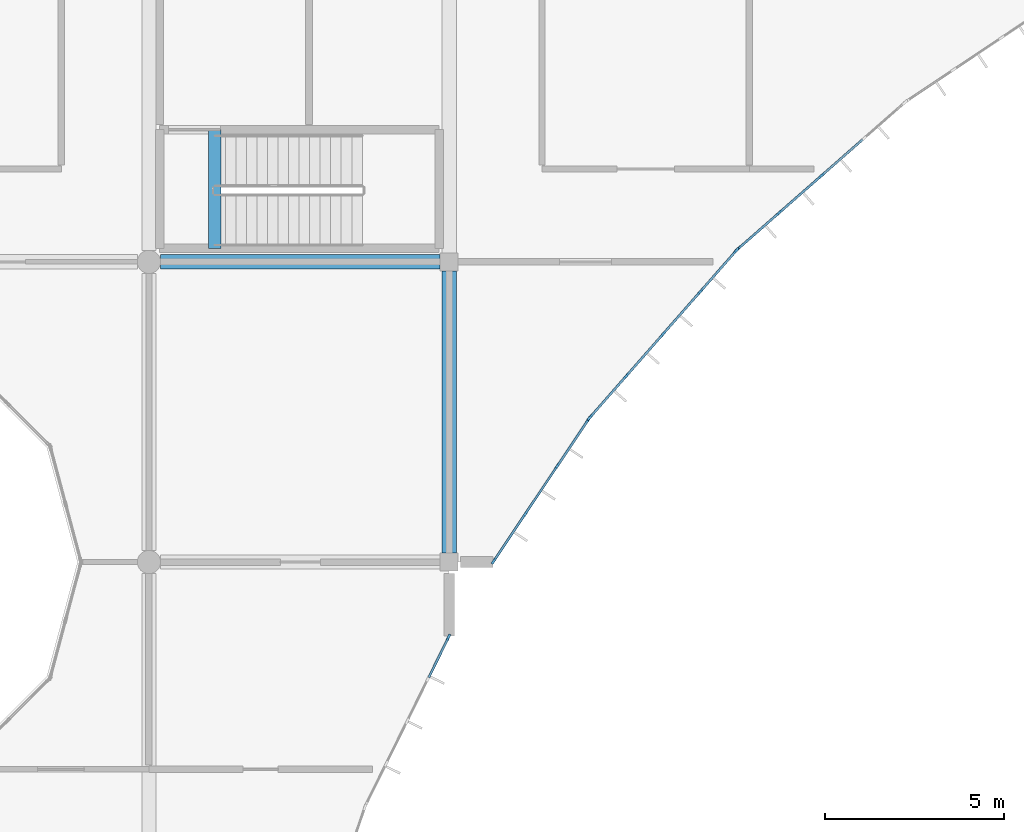
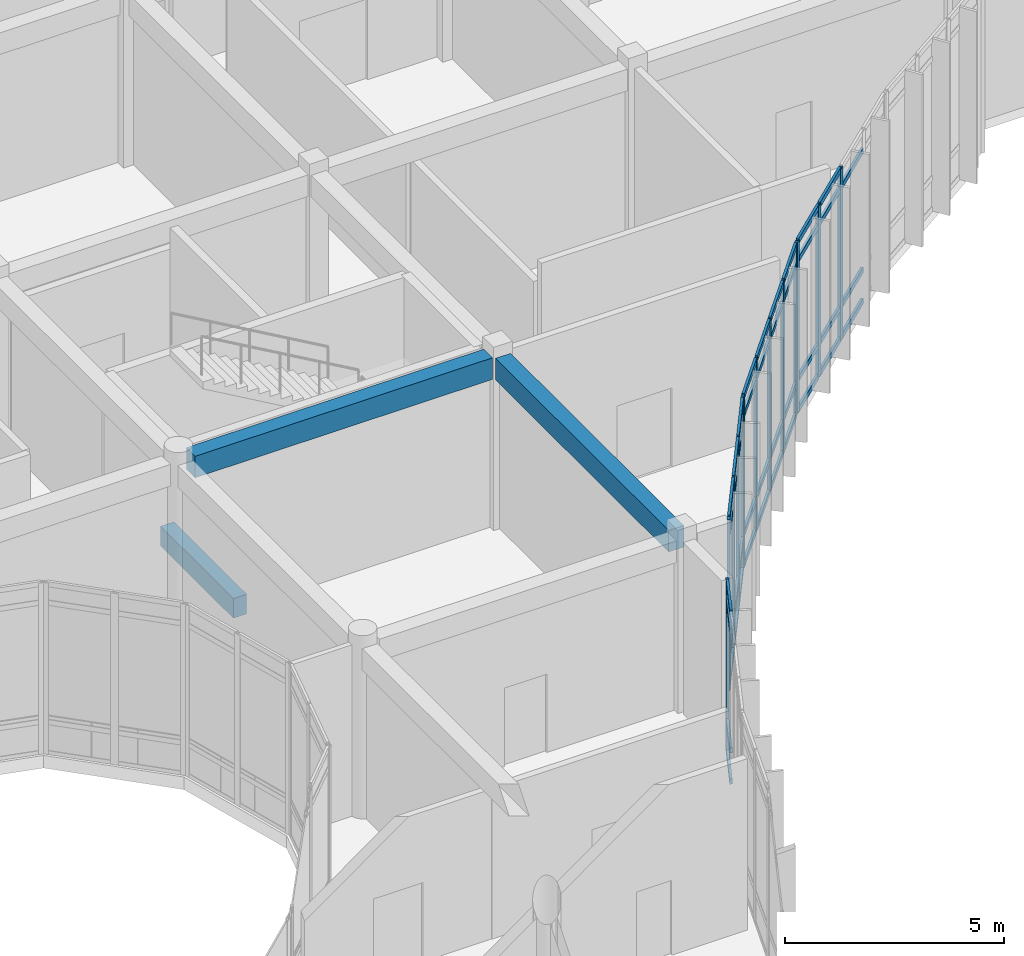
# One storey, part 60 of 134: 56 members, 3 beams, 4 elements without a shape of their own.
"""IFC4 building model written with IfcOpenShell, lengths in metres."""

from ifc_helpers import new_model, si_unit, direction, frame, origin, origin_2d, place, context, subcontext, project, spatial, rectangle, extrude, material, layer, layer_set, material_profile, profile_set, type_object, element, aggregate, save


model = new_model("IFC4")

# Units and contexts
model_context = context("Model", 3, precision=1e-05, world=origin(), true_north=direction((0.0, 1.0)))
body_context = subcontext(model_context, "Body", "Model", "MODEL_VIEW")
ifc_project = project(units=[si_unit("LENGTHUNIT", "METRE"), si_unit("AREAUNIT", "SQUARE_METRE"), si_unit("VOLUMEUNIT", "CUBIC_METRE"), si_unit("PLANEANGLEUNIT", "RADIAN"), si_unit("MASSUNIT", "GRAM", prefix="KILO")], contexts=[model_context])

# Site, building, storey
site_placement = place(None, origin())
site = spatial("IfcSite", under=ifc_project, at=site_placement, CompositionType="ELEMENT")
building_placement = place(site_placement, origin())
building = spatial("IfcBuilding", under=site, at=building_placement, Name="Bramfleet General Hospital", CompositionType="ELEMENT")
storey_placement = place(building_placement, frame((0.0, 0.0, 9.300048828125)))
storey = spatial("IfcBuildingStorey", under=building, at=storey_placement, Name="L02", CompositionType="ELEMENT", Elevation=9.300048828125)

# Beams
ifc_material_1 = material(Name="Concrete C35/45", Category="concrete")
ifc_material_profile_1 = material_profile(ifc_material_1, rectangle(XDim=0.35009765625, YDim=0.550048828125, at=origin_2d()), Name="RC BM 550x350")
ifc_profile_set_1 = profile_set([ifc_material_profile_1], Name="Concrete C35/45")
beam_type_1 = type_object("IfcBeamType", Name="BM-RC550", PredefinedType="BEAM", material=ifc_profile_set_1)
beam_1_placement = place(storey_placement, frame((127.840087890625, 75.97998046875, -0.275146484375), z_axis=(0.0, 1.0, 0.0), x_axis=(-1.0, 0.0, 0.0)))
element("IfcBeam", 1, at=beam_1_placement, inside=storey, type_object=beam_type_1, Name="L02 C12 Stairwell Trimmer Beam", PredefinedType="BEAM", context=body_context, shape_type="SweptSolid", body=[
    extrude(rectangle(XDim=0.35009765625, YDim=0.550048828125, at=origin_2d()), origin(), (0.0, 0.0, 1.0), 3.320068359375),
])
ifc_material_profile_2 = material_profile(ifc_material_1, rectangle(XDim=0.39990234375, YDim=0.60009765625, at=origin_2d()), Name="RC BM 600x400")
ifc_profile_set_2 = profile_set([ifc_material_profile_2], Name="Concrete C35/45")
beam_type_2 = type_object("IfcBeamType", Name="BM-RC600", PredefinedType="BEAM", material=ifc_profile_set_2)
beam_2_placement = place(storey_placement, frame((126.324951171875, 75.60009765625, 4.47998046875), z_axis=(1.0, 0.0, 0.0), x_axis=(0.0, 1.0, 0.0)))
element("IfcBeam", 2, at=beam_2_placement, inside=storey, type_object=beam_type_2, Name="L02 Grid Beam X 15-09", PredefinedType="BEAM", context=body_context, shape_type="SweptSolid", body=[
    extrude(rectangle(XDim=0.39990234375, YDim=0.60009765625, at=origin_2d()), origin(), (0.0, 0.0, 1.0), 7.824951171875),
])
beam_3_placement = place(storey_placement, frame((134.39990234375, 67.449951171875, 4.47998046875), z_axis=(0.0, 1.0, 0.0), x_axis=(-1.0, 0.0, 0.0)))
element("IfcBeam", 3, at=beam_3_placement, inside=storey, type_object=beam_type_2, Name="L02 Grid Beam Y 16-08", PredefinedType="BEAM", context=body_context, shape_type="SweptSolid", body=[
    extrude(rectangle(XDim=0.39990234375, YDim=0.60009765625, at=origin_2d()), origin(), (0.0, 0.0, 1.0), 7.900146484375),
])

# Curtain wall, members
ifc_material_2 = material(Name="Anodised aluminium and low-E triple glazing", Category="aluminium")
ifc_layer_1 = layer(ifc_material_2, 0.179931640625, Name="CWT-CW-17")
ifc_layer_set_1 = layer_set([ifc_layer_1], Name="Anodised aluminium and low-E triple glazing")
curtain_wall_type_1 = type_object("IfcCurtainWallType", Name="CWT-CW-17", PredefinedType="USERDEFINED", material=ifc_layer_set_1)
curtain_wall_1_placement = place(storey_placement, origin())
curtain_wall_1 = element("IfcCurtainWall", 4, at=curtain_wall_1_placement, inside=storey, type_object=curtain_wall_type_1, Name="L02 Curtain Wall 107", ObjectType="Stick curtain wall", PredefinedType="USERDEFINED")
ifc_material_3 = material(Name="Structural timber GL28h", Category="wood")
ifc_material_profile_3 = material_profile(ifc_material_3, rectangle(XDim=0.070068359375, YDim=0.18994140625, at=origin_2d()), Name="LARCH 190x70")
ifc_profile_set_3 = profile_set([ifc_material_profile_3], Name="Structural timber GL28h")
member_type_1 = type_object("IfcMemberType", Name="CWM-LARCH450", PredefinedType="MULLION", material=ifc_profile_set_3)
member_1_placement = place(storey_placement, frame((144.819091796875, 78.010986328125, 0.0), z_axis=(0.0, 0.0, 1.0), x_axis=(0.659406233864, -0.75178681735, 0.0)))
member_1 = element("IfcMember", 5, at=member_1_placement, type_object=member_type_1, Name="CW-17 mullion 3", PredefinedType="MULLION", context=body_context, shape_type="SweptSolid", body=[
    extrude(rectangle(XDim=0.070068359375, YDim=0.18994140625, at=origin_2d()), origin(), (0.0, 0.0, 1.0), 4.77001953125),
])
member_2_placement = place(storey_placement, frame((143.638916015625, 76.97607421875, 0.0), z_axis=(0.0, 0.0, 1.0), x_axis=(0.659406233864, -0.75178681735, 0.0)))
member_2 = element("IfcMember", 6, at=member_2_placement, type_object=member_type_1, Name="CW-17 mullion 4", PredefinedType="MULLION", context=body_context, shape_type="SweptSolid", body=[
    extrude(rectangle(XDim=0.070068359375, YDim=0.18994140625, at=origin_2d()), origin(), (0.0, 0.0, 1.0), 4.77001953125),
])
member_3_placement = place(storey_placement, frame((142.4853515625, 75.964111328125, 0.0), z_axis=(0.0, 0.0, 1.0), x_axis=(0.659406233864, -0.75178681735, 0.0)))
member_3 = element("IfcMember", 7, at=member_3_placement, type_object=member_type_1, Name="CW-17 mullion 5", PredefinedType="MULLION", context=body_context, shape_type="SweptSolid", body=[
    extrude(rectangle(XDim=0.070068359375, YDim=0.18994140625, at=origin_2d()), origin(), (0.0, 0.0, 1.0), 4.77001953125),
])

ifc_layer_2 = layer(ifc_material_2, 0.179931640625, Name="CWT-CW-18")
ifc_layer_set_2 = layer_set([ifc_layer_2], Name="Anodised aluminium and low-E triple glazing")
curtain_wall_type_2 = type_object("IfcCurtainWallType", Name="CWT-CW-18", PredefinedType="USERDEFINED", material=ifc_layer_set_2)
curtain_wall_2_placement = place(storey_placement, origin())
curtain_wall_2 = element("IfcCurtainWall", 8, at=curtain_wall_2_placement, inside=storey, type_object=curtain_wall_type_2, Name="L02 Curtain Wall 108", ObjectType="Stick curtain wall", PredefinedType="USERDEFINED")
member_4_placement = place(storey_placement, frame((142.43603515625, 75.914794921875, 0.0), z_axis=(0.0, 0.0, 1.0), x_axis=(0.75178681735, -0.659406233864, 0.0)))
member_4 = element("IfcMember", 9, at=member_4_placement, type_object=member_type_1, Name="CW-18 mullion 1", PredefinedType="MULLION", context=body_context, shape_type="SweptSolid", body=[
    extrude(rectangle(XDim=0.070068359375, YDim=0.18994140625, at=origin_2d()), origin(), (0.0, 0.0, 1.0), 4.77001953125),
])
member_5_placement = place(storey_placement, frame((141.424072265625, 74.760986328125, 0.0), z_axis=(0.0, 0.0, 1.0), x_axis=(0.75178681735, -0.659406233864, 0.0)))
member_5 = element("IfcMember", 10, at=member_5_placement, type_object=member_type_1, Name="CW-18 mullion 2", PredefinedType="MULLION", context=body_context, shape_type="SweptSolid", body=[
    extrude(rectangle(XDim=0.070068359375, YDim=0.18994140625, at=origin_2d()), origin(), (0.0, 0.0, 1.0), 4.77001953125),
])
member_6_placement = place(storey_placement, frame((140.388916015625, 73.5810546875, 0.0), z_axis=(0.0, 0.0, 1.0), x_axis=(0.75178681735, -0.659406233864, 0.0)))
member_6 = element("IfcMember", 11, at=member_6_placement, type_object=member_type_1, Name="CW-18 mullion 3", PredefinedType="MULLION", context=body_context, shape_type="SweptSolid", body=[
    extrude(rectangle(XDim=0.070068359375, YDim=0.18994140625, at=origin_2d()), origin(), (0.0, 0.0, 1.0), 4.77001953125),
])
member_7_placement = place(storey_placement, frame((139.35400390625, 72.40087890625, 0.0), z_axis=(0.0, 0.0, 1.0), x_axis=(0.75178681735, -0.659406233864, 0.0)))
member_7 = element("IfcMember", 12, at=member_7_placement, type_object=member_type_1, Name="CW-18 mullion 4", PredefinedType="MULLION", context=body_context, shape_type="SweptSolid", body=[
    extrude(rectangle(XDim=0.070068359375, YDim=0.18994140625, at=origin_2d()), origin(), (0.0, 0.0, 1.0), 4.77001953125),
])
member_8_placement = place(storey_placement, frame((138.342041015625, 71.247314453125, 0.0), z_axis=(0.0, 0.0, 1.0), x_axis=(0.75178681735, -0.659406233864, 0.0)))
member_8 = element("IfcMember", 13, at=member_8_placement, type_object=member_type_1, Name="CW-18 mullion 5", PredefinedType="MULLION", context=body_context, shape_type="SweptSolid", body=[
    extrude(rectangle(XDim=0.070068359375, YDim=0.18994140625, at=origin_2d()), origin(), (0.0, 0.0, 1.0), 4.77001953125),
])

ifc_layer_3 = layer(ifc_material_2, 0.179931640625, Name="CWT-CW-01")
ifc_layer_set_3 = layer_set([ifc_layer_3], Name="Anodised aluminium and low-E triple glazing")
curtain_wall_type_3 = type_object("IfcCurtainWallType", Name="CWT-CW-01", PredefinedType="USERDEFINED", material=ifc_layer_set_3)
curtain_wall_3_placement = place(storey_placement, origin())
curtain_wall_3 = element("IfcCurtainWall", 14, at=curtain_wall_3_placement, inside=storey, type_object=curtain_wall_type_3, Name="L02 Curtain Wall 109", ObjectType="Unitised curtain wall", PredefinedType="USERDEFINED")
member_9_placement = place(storey_placement, frame((138.299560546875, 71.19189453125, 0.0), z_axis=(0.0, 0.0, 1.0), x_axis=(0.831540898988, -0.555463530135, 0.0)))
member_9 = element("IfcMember", 15, at=member_9_placement, type_object=member_type_1, Name="CW-01 mullion 1", PredefinedType="MULLION", context=body_context, shape_type="SweptSolid", body=[
    extrude(rectangle(XDim=0.070068359375, YDim=0.18994140625, at=origin_2d()), origin(), (0.0, 0.0, 1.0), 4.77001953125),
])
member_10_placement = place(storey_placement, frame((137.423583984375, 69.880615234375, 0.0), z_axis=(0.0, 0.0, 1.0), x_axis=(0.831540898988, -0.555463530135, 0.0)))
member_10 = element("IfcMember", 16, at=member_10_placement, type_object=member_type_1, Name="CW-01 mullion 2", PredefinedType="MULLION", context=body_context, shape_type="SweptSolid", body=[
    extrude(rectangle(XDim=0.070068359375, YDim=0.18994140625, at=origin_2d()), origin(), (0.0, 0.0, 1.0), 4.77001953125),
])
member_11_placement = place(storey_placement, frame((136.5283203125, 68.540283203125, 0.0), z_axis=(0.0, 0.0, 1.0), x_axis=(0.831540898988, -0.555463530135, 0.0)))
member_11 = element("IfcMember", 17, at=member_11_placement, type_object=member_type_1, Name="CW-01 mullion 3", PredefinedType="MULLION", context=body_context, shape_type="SweptSolid", body=[
    extrude(rectangle(XDim=0.070068359375, YDim=0.18994140625, at=origin_2d()), origin(), (0.0, 0.0, 1.0), 4.77001953125),
])
member_12_placement = place(storey_placement, frame((135.65234375, 67.22900390625, 0.0), z_axis=(0.0, 0.0, 1.0), x_axis=(0.831540898988, -0.555463530135, 0.0)))
member_12 = element("IfcMember", 18, at=member_12_placement, type_object=member_type_1, Name="CW-01 mullion 4", PredefinedType="MULLION", context=body_context, shape_type="SweptSolid", body=[
    extrude(rectangle(XDim=0.070068359375, YDim=0.18994140625, at=origin_2d()), origin(), (0.0, 0.0, 1.0), 4.77001953125),
])

# Curtain wall, member
ifc_layer_4 = layer(ifc_material_2, 0.179931640625, Name="CWT-CW-02")
ifc_layer_set_4 = layer_set([ifc_layer_4], Name="Anodised aluminium and low-E triple glazing")
curtain_wall_type_4 = type_object("IfcCurtainWallType", Name="CWT-CW-02", PredefinedType="USERDEFINED", material=ifc_layer_set_4)
curtain_wall_4_placement = place(storey_placement, origin())
curtain_wall_4 = element("IfcCurtainWall", 19, at=curtain_wall_4_placement, inside=storey, type_object=curtain_wall_type_4, Name="L02 Curtain Wall 110", ObjectType="Unitised curtain wall", PredefinedType="USERDEFINED")
member_13_placement = place(storey_placement, frame((134.384521484375, 65.0947265625, 0.0), z_axis=(0.0, 0.0, 1.0), x_axis=(0.896864723513, -0.442304948782, 0.0)))
member_13 = element("IfcMember", 20, at=member_13_placement, type_object=member_type_1, Name="CW-02 mullion 1", PredefinedType="MULLION", context=body_context, shape_type="SweptSolid", body=[
    extrude(rectangle(XDim=0.070068359375, YDim=0.18994140625, at=origin_2d()), origin(), (0.0, 0.0, 1.0), 4.77001953125),
])

# Member
ifc_material_profile_4 = material_profile(ifc_material_3, rectangle(XDim=0.06494140625, YDim=0.14990234375, at=origin_2d()), Name="LARCH 150x65")
ifc_profile_set_4 = profile_set([ifc_material_profile_4], Name="Structural timber GL28h")
member_type_2 = type_object("IfcMemberType", Name="CWT-LARCH220", PredefinedType="USERDEFINED", material=ifc_profile_set_4)
member_14_placement = place(storey_placement, frame((145.97265625, 79.02294921875, 0.032470703125), z_axis=(-0.751829905296, -0.659357106204, 0.0), x_axis=(0.659357106204, -0.751829905296, 0.0)))
member_14 = element("IfcMember", 21, at=member_14_placement, type_object=member_type_2, Name="CW-17 transom 2.1", ObjectType="TRANSOM", PredefinedType="USERDEFINED", context=body_context, shape_type="SweptSolid", body=[
    extrude(rectangle(XDim=0.06494140625, YDim=0.14990234375, at=origin_2d()), origin(), (0.0, 0.0, 1.0), 1.49951171875),
])

member_15_placement = place(storey_placement, frame((145.97265625, 79.02294921875, 0.89990234375), z_axis=(-0.751829905296, -0.659357106204, 0.0), x_axis=(0.659357106204, -0.751829905296, 0.0)))
member_15 = element("IfcMember", 22, at=member_15_placement, type_object=member_type_2, Name="CW-17 transom 2.2", ObjectType="TRANSOM", PredefinedType="USERDEFINED", context=body_context, shape_type="SweptSolid", body=[
    extrude(rectangle(XDim=0.06494140625, YDim=0.14990234375, at=origin_2d()), origin(), (0.0, 0.0, 1.0), 1.49951171875),
])

member_16_placement = place(storey_placement, frame((145.97265625, 79.02294921875, 4.219970703125), z_axis=(-0.751829905296, -0.659357106204, 0.0), x_axis=(0.659357106204, -0.751829905296, 0.0)))
member_16 = element("IfcMember", 23, at=member_16_placement, type_object=member_type_2, Name="CW-17 transom 2.3", ObjectType="TRANSOM", PredefinedType="USERDEFINED", context=body_context, shape_type="SweptSolid", body=[
    extrude(rectangle(XDim=0.06494140625, YDim=0.14990234375, at=origin_2d()), origin(), (0.0, 0.0, 1.0), 1.49951171875),
])

member_17_placement = place(storey_placement, frame((144.792724609375, 77.988037109375, 0.032470703125), z_axis=(-0.751749202304, -0.659449116183, 0.0), x_axis=(0.659449116183, -0.751749202304, 0.0)))
member_17 = element("IfcMember", 24, at=member_17_placement, type_object=member_type_2, Name="CW-17 transom 3.1", ObjectType="TRANSOM", PredefinedType="USERDEFINED", context=body_context, shape_type="SweptSolid", body=[
    extrude(rectangle(XDim=0.06494140625, YDim=0.14990234375, at=origin_2d()), origin(), (0.0, 0.0, 1.0), 1.499755859375),
])

member_18_placement = place(storey_placement, frame((144.792724609375, 77.988037109375, 0.89990234375), z_axis=(-0.751749202304, -0.659449116183, 0.0), x_axis=(0.659449116183, -0.751749202304, 0.0)))
member_18 = element("IfcMember", 25, at=member_18_placement, type_object=member_type_2, Name="CW-17 transom 3.2", ObjectType="TRANSOM", PredefinedType="USERDEFINED", context=body_context, shape_type="SweptSolid", body=[
    extrude(rectangle(XDim=0.06494140625, YDim=0.14990234375, at=origin_2d()), origin(), (0.0, 0.0, 1.0), 1.499755859375),
])

member_19_placement = place(storey_placement, frame((144.792724609375, 77.988037109375, 4.219970703125), z_axis=(-0.751749202304, -0.659449116183, 0.0), x_axis=(0.659449116183, -0.751749202304, 0.0)))
member_19 = element("IfcMember", 26, at=member_19_placement, type_object=member_type_2, Name="CW-17 transom 3.3", ObjectType="TRANSOM", PredefinedType="USERDEFINED", context=body_context, shape_type="SweptSolid", body=[
    extrude(rectangle(XDim=0.06494140625, YDim=0.14990234375, at=origin_2d()), origin(), (0.0, 0.0, 1.0), 1.499755859375),
])

member_20_placement = place(storey_placement, frame((144.792724609375, 77.988037109375, 4.737548828125), z_axis=(-0.751749202304, -0.659449116183, 0.0), x_axis=(0.659449116183, -0.751749202304, 0.0)))
member_20 = element("IfcMember", 27, at=member_20_placement, type_object=member_type_2, Name="CW-17 transom 3.4", ObjectType="TRANSOM", PredefinedType="USERDEFINED", context=body_context, shape_type="SweptSolid", body=[
    extrude(rectangle(XDim=0.06494140625, YDim=0.14990234375, at=origin_2d()), origin(), (0.0, 0.0, 1.0), 1.499755859375),
])

member_21_placement = place(storey_placement, frame((143.61279296875, 76.952880859375, 0.032470703125), z_axis=(-0.75177071058, -0.659424596686, 0.0), x_axis=(0.659424596686, -0.75177071058, 0.0)))
member_21 = element("IfcMember", 28, at=member_21_placement, type_object=member_type_2, Name="CW-17 transom 4.1", ObjectType="TRANSOM", PredefinedType="USERDEFINED", context=body_context, shape_type="SweptSolid", body=[
    extrude(rectangle(XDim=0.06494140625, YDim=0.14990234375, at=origin_2d()), origin(), (0.0, 0.0, 1.0), 1.464599609375),
])

member_22_placement = place(storey_placement, frame((143.61279296875, 76.952880859375, 0.89990234375), z_axis=(-0.75177071058, -0.659424596686, 0.0), x_axis=(0.659424596686, -0.75177071058, 0.0)))
member_22 = element("IfcMember", 29, at=member_22_placement, type_object=member_type_2, Name="CW-17 transom 4.2", ObjectType="TRANSOM", PredefinedType="USERDEFINED", context=body_context, shape_type="SweptSolid", body=[
    extrude(rectangle(XDim=0.06494140625, YDim=0.14990234375, at=origin_2d()), origin(), (0.0, 0.0, 1.0), 1.464599609375),
])

member_23_placement = place(storey_placement, frame((143.61279296875, 76.952880859375, 4.219970703125), z_axis=(-0.75177071058, -0.659424596686, 0.0), x_axis=(0.659424596686, -0.75177071058, 0.0)))
member_23 = element("IfcMember", 30, at=member_23_placement, type_object=member_type_2, Name="CW-17 transom 4.3", ObjectType="TRANSOM", PredefinedType="USERDEFINED", context=body_context, shape_type="SweptSolid", body=[
    extrude(rectangle(XDim=0.06494140625, YDim=0.14990234375, at=origin_2d()), origin(), (0.0, 0.0, 1.0), 1.464599609375),
])

member_24_placement = place(storey_placement, frame((143.61279296875, 76.952880859375, 4.737548828125), z_axis=(-0.75177071058, -0.659424596686, 0.0), x_axis=(0.659424596686, -0.75177071058, 0.0)))
member_24 = element("IfcMember", 31, at=member_24_placement, type_object=member_type_2, Name="CW-17 transom 4.4", ObjectType="TRANSOM", PredefinedType="USERDEFINED", context=body_context, shape_type="SweptSolid", body=[
    extrude(rectangle(XDim=0.06494140625, YDim=0.14990234375, at=origin_2d()), origin(), (0.0, 0.0, 1.0), 1.464599609375),
])

aggregate(curtain_wall_1, [member_1, member_2, member_3, member_14, member_15, member_16, member_17, member_18, member_19, member_20, member_21, member_22, member_23, member_24])

member_25_placement = place(storey_placement, frame((142.412841796875, 75.888427734375, 0.032470703125), z_axis=(-0.659424596686, -0.75177071058, 0.0), x_axis=(0.75177071058, -0.659424596686, 0.0)))
member_25 = element("IfcMember", 32, at=member_25_placement, type_object=member_type_2, Name="CW-18 transom 1.1", ObjectType="TRANSOM", PredefinedType="USERDEFINED", context=body_context, shape_type="SweptSolid", body=[
    extrude(rectangle(XDim=0.06494140625, YDim=0.14990234375, at=origin_2d()), origin(), (0.0, 0.0, 1.0), 1.464599609375),
])

member_26_placement = place(storey_placement, frame((142.412841796875, 75.888427734375, 0.89990234375), z_axis=(-0.659424596686, -0.75177071058, 0.0), x_axis=(0.75177071058, -0.659424596686, 0.0)))
member_26 = element("IfcMember", 33, at=member_26_placement, type_object=member_type_2, Name="CW-18 transom 1.2", ObjectType="TRANSOM", PredefinedType="USERDEFINED", context=body_context, shape_type="SweptSolid", body=[
    extrude(rectangle(XDim=0.06494140625, YDim=0.14990234375, at=origin_2d()), origin(), (0.0, 0.0, 1.0), 1.464599609375),
])

member_27_placement = place(storey_placement, frame((142.412841796875, 75.888427734375, 4.219970703125), z_axis=(-0.659424596686, -0.75177071058, 0.0), x_axis=(0.75177071058, -0.659424596686, 0.0)))
member_27 = element("IfcMember", 34, at=member_27_placement, type_object=member_type_2, Name="CW-18 transom 1.3", ObjectType="TRANSOM", PredefinedType="USERDEFINED", context=body_context, shape_type="SweptSolid", body=[
    extrude(rectangle(XDim=0.06494140625, YDim=0.14990234375, at=origin_2d()), origin(), (0.0, 0.0, 1.0), 1.464599609375),
])

member_28_placement = place(storey_placement, frame((142.412841796875, 75.888427734375, 4.737548828125), z_axis=(-0.659424596686, -0.75177071058, 0.0), x_axis=(0.75177071058, -0.659424596686, 0.0)))
member_28 = element("IfcMember", 35, at=member_28_placement, type_object=member_type_2, Name="CW-18 transom 1.4", ObjectType="TRANSOM", PredefinedType="USERDEFINED", context=body_context, shape_type="SweptSolid", body=[
    extrude(rectangle(XDim=0.06494140625, YDim=0.14990234375, at=origin_2d()), origin(), (0.0, 0.0, 1.0), 1.464599609375),
])

member_29_placement = place(storey_placement, frame((141.40087890625, 74.734619140625, 0.032470703125), z_axis=(-0.659437818308, -0.751759112871, 0.0), x_axis=(0.751759112871, -0.659437818308, 0.0)))
member_29 = element("IfcMember", 36, at=member_29_placement, type_object=member_type_2, Name="CW-18 transom 2.1", ObjectType="TRANSOM", PredefinedType="USERDEFINED", context=body_context, shape_type="SweptSolid", body=[
    extrude(rectangle(XDim=0.06494140625, YDim=0.14990234375, at=origin_2d()), origin(), (0.0, 0.0, 1.0), 1.49951171875),
])

member_30_placement = place(storey_placement, frame((141.40087890625, 74.734619140625, 0.89990234375), z_axis=(-0.659437818308, -0.751759112871, 0.0), x_axis=(0.751759112871, -0.659437818308, 0.0)))
member_30 = element("IfcMember", 37, at=member_30_placement, type_object=member_type_2, Name="CW-18 transom 2.2", ObjectType="TRANSOM", PredefinedType="USERDEFINED", context=body_context, shape_type="SweptSolid", body=[
    extrude(rectangle(XDim=0.06494140625, YDim=0.14990234375, at=origin_2d()), origin(), (0.0, 0.0, 1.0), 1.49951171875),
])

member_31_placement = place(storey_placement, frame((141.40087890625, 74.734619140625, 4.219970703125), z_axis=(-0.659437818308, -0.751759112871, 0.0), x_axis=(0.751759112871, -0.659437818308, 0.0)))
member_31 = element("IfcMember", 38, at=member_31_placement, type_object=member_type_2, Name="CW-18 transom 2.3", ObjectType="TRANSOM", PredefinedType="USERDEFINED", context=body_context, shape_type="SweptSolid", body=[
    extrude(rectangle(XDim=0.06494140625, YDim=0.14990234375, at=origin_2d()), origin(), (0.0, 0.0, 1.0), 1.49951171875),
])

member_32_placement = place(storey_placement, frame((141.40087890625, 74.734619140625, 4.737548828125), z_axis=(-0.659437818308, -0.751759112871, 0.0), x_axis=(0.751759112871, -0.659437818308, 0.0)))
member_32 = element("IfcMember", 39, at=member_32_placement, type_object=member_type_2, Name="CW-18 transom 2.4", ObjectType="TRANSOM", PredefinedType="USERDEFINED", context=body_context, shape_type="SweptSolid", body=[
    extrude(rectangle(XDim=0.06494140625, YDim=0.14990234375, at=origin_2d()), origin(), (0.0, 0.0, 1.0), 1.49951171875),
])

member_33_placement = place(storey_placement, frame((140.365966796875, 73.5546875, 0.032470703125), z_axis=(-0.659357106204, -0.751829905296, 0.0), x_axis=(0.751829905296, -0.659357106204, 0.0)))
member_33 = element("IfcMember", 40, at=member_33_placement, type_object=member_type_2, Name="CW-18 transom 3.1", ObjectType="TRANSOM", PredefinedType="USERDEFINED", context=body_context, shape_type="SweptSolid", body=[
    extrude(rectangle(XDim=0.06494140625, YDim=0.14990234375, at=origin_2d()), origin(), (0.0, 0.0, 1.0), 1.49951171875),
])

member_34_placement = place(storey_placement, frame((140.365966796875, 73.5546875, 0.89990234375), z_axis=(-0.659357106204, -0.751829905296, 0.0), x_axis=(0.751829905296, -0.659357106204, 0.0)))
member_34 = element("IfcMember", 41, at=member_34_placement, type_object=member_type_2, Name="CW-18 transom 3.2", ObjectType="TRANSOM", PredefinedType="USERDEFINED", context=body_context, shape_type="SweptSolid", body=[
    extrude(rectangle(XDim=0.06494140625, YDim=0.14990234375, at=origin_2d()), origin(), (0.0, 0.0, 1.0), 1.49951171875),
])

member_35_placement = place(storey_placement, frame((140.365966796875, 73.5546875, 4.219970703125), z_axis=(-0.659357106204, -0.751829905296, 0.0), x_axis=(0.751829905296, -0.659357106204, 0.0)))
member_35 = element("IfcMember", 42, at=member_35_placement, type_object=member_type_2, Name="CW-18 transom 3.3", ObjectType="TRANSOM", PredefinedType="USERDEFINED", context=body_context, shape_type="SweptSolid", body=[
    extrude(rectangle(XDim=0.06494140625, YDim=0.14990234375, at=origin_2d()), origin(), (0.0, 0.0, 1.0), 1.49951171875),
])

member_36_placement = place(storey_placement, frame((140.365966796875, 73.5546875, 4.737548828125), z_axis=(-0.659357106204, -0.751829905296, 0.0), x_axis=(0.751829905296, -0.659357106204, 0.0)))
member_36 = element("IfcMember", 43, at=member_36_placement, type_object=member_type_2, Name="CW-18 transom 3.4", ObjectType="TRANSOM", PredefinedType="USERDEFINED", context=body_context, shape_type="SweptSolid", body=[
    extrude(rectangle(XDim=0.06494140625, YDim=0.14990234375, at=origin_2d()), origin(), (0.0, 0.0, 1.0), 1.49951171875),
])

member_37_placement = place(storey_placement, frame((139.330810546875, 72.374755859375, 0.032470703125), z_axis=(-0.659330374914, -0.751853347879, 0.0), x_axis=(0.751853347879, -0.659330374914, 0.0)))
member_37 = element("IfcMember", 44, at=member_37_placement, type_object=member_type_2, Name="CW-18 transom 4.1", ObjectType="TRANSOM", PredefinedType="USERDEFINED", context=body_context, shape_type="SweptSolid", body=[
    extrude(rectangle(XDim=0.06494140625, YDim=0.14990234375, at=origin_2d()), origin(), (0.0, 0.0, 1.0), 1.464599609375),
])

member_38_placement = place(storey_placement, frame((139.330810546875, 72.374755859375, 0.89990234375), z_axis=(-0.659330374914, -0.751853347879, 0.0), x_axis=(0.751853347879, -0.659330374914, 0.0)))
member_38 = element("IfcMember", 45, at=member_38_placement, type_object=member_type_2, Name="CW-18 transom 4.2", ObjectType="TRANSOM", PredefinedType="USERDEFINED", context=body_context, shape_type="SweptSolid", body=[
    extrude(rectangle(XDim=0.06494140625, YDim=0.14990234375, at=origin_2d()), origin(), (0.0, 0.0, 1.0), 1.464599609375),
])

member_39_placement = place(storey_placement, frame((139.330810546875, 72.374755859375, 4.219970703125), z_axis=(-0.659330374914, -0.751853347879, 0.0), x_axis=(0.751853347879, -0.659330374914, 0.0)))
member_39 = element("IfcMember", 46, at=member_39_placement, type_object=member_type_2, Name="CW-18 transom 4.3", ObjectType="TRANSOM", PredefinedType="USERDEFINED", context=body_context, shape_type="SweptSolid", body=[
    extrude(rectangle(XDim=0.06494140625, YDim=0.14990234375, at=origin_2d()), origin(), (0.0, 0.0, 1.0), 1.464599609375),
])

member_40_placement = place(storey_placement, frame((139.330810546875, 72.374755859375, 4.737548828125), z_axis=(-0.659330374914, -0.751853347879, 0.0), x_axis=(0.751853347879, -0.659330374914, 0.0)))
member_40 = element("IfcMember", 47, at=member_40_placement, type_object=member_type_2, Name="CW-18 transom 4.4", ObjectType="TRANSOM", PredefinedType="USERDEFINED", context=body_context, shape_type="SweptSolid", body=[
    extrude(rectangle(XDim=0.06494140625, YDim=0.14990234375, at=origin_2d()), origin(), (0.0, 0.0, 1.0), 1.464599609375),
])

aggregate(curtain_wall_2, [member_4, member_5, member_6, member_7, member_8, member_25, member_26, member_27, member_28, member_29, member_30, member_31, member_32, member_33, member_34, member_35, member_36, member_37, member_38, member_39, member_40])

member_41_placement = place(storey_placement, frame((138.280029296875, 71.162841796875, 0.032470703125), z_axis=(-0.555372982682, -0.831601376927, 0.0), x_axis=(0.831601376927, -0.555372982682, 0.0)))
member_41 = element("IfcMember", 48, at=member_41_placement, type_object=member_type_2, Name="CW-01 transom 1.1", ObjectType="TRANSOM", PredefinedType="USERDEFINED", context=body_context, shape_type="SweptSolid", body=[
    extrude(rectangle(XDim=0.06494140625, YDim=0.14990234375, at=origin_2d()), origin(), (0.0, 0.0, 1.0), 1.5068359375),
])

member_42_placement = place(storey_placement, frame((138.280029296875, 71.162841796875, 0.89990234375), z_axis=(-0.555372982682, -0.831601376927, 0.0), x_axis=(0.831601376927, -0.555372982682, 0.0)))
member_42 = element("IfcMember", 49, at=member_42_placement, type_object=member_type_2, Name="CW-01 transom 1.2", ObjectType="TRANSOM", PredefinedType="USERDEFINED", context=body_context, shape_type="SweptSolid", body=[
    extrude(rectangle(XDim=0.06494140625, YDim=0.14990234375, at=origin_2d()), origin(), (0.0, 0.0, 1.0), 1.5068359375),
])

member_43_placement = place(storey_placement, frame((138.280029296875, 71.162841796875, 4.219970703125), z_axis=(-0.555372982682, -0.831601376927, 0.0), x_axis=(0.831601376927, -0.555372982682, 0.0)))
member_43 = element("IfcMember", 50, at=member_43_placement, type_object=member_type_2, Name="CW-01 transom 1.3", ObjectType="TRANSOM", PredefinedType="USERDEFINED", context=body_context, shape_type="SweptSolid", body=[
    extrude(rectangle(XDim=0.06494140625, YDim=0.14990234375, at=origin_2d()), origin(), (0.0, 0.0, 1.0), 1.5068359375),
])

member_44_placement = place(storey_placement, frame((138.280029296875, 71.162841796875, 4.737548828125), z_axis=(-0.555372982682, -0.831601376927, 0.0), x_axis=(0.831601376927, -0.555372982682, 0.0)))
member_44 = element("IfcMember", 51, at=member_44_placement, type_object=member_type_2, Name="CW-01 transom 1.4", ObjectType="TRANSOM", PredefinedType="USERDEFINED", context=body_context, shape_type="SweptSolid", body=[
    extrude(rectangle(XDim=0.06494140625, YDim=0.14990234375, at=origin_2d()), origin(), (0.0, 0.0, 1.0), 1.5068359375),
])

member_45_placement = place(storey_placement, frame((137.404296875, 69.8515625, 0.032470703125), z_axis=(-0.555430748118, -0.831562796213, 0.0), x_axis=(0.831562796213, -0.555430748118, 0.0)))
member_45 = element("IfcMember", 52, at=member_45_placement, type_object=member_type_2, Name="CW-01 transom 2.1", ObjectType="TRANSOM", PredefinedType="USERDEFINED", context=body_context, shape_type="SweptSolid", body=[
    extrude(rectangle(XDim=0.06494140625, YDim=0.14990234375, at=origin_2d()), origin(), (0.0, 0.0, 1.0), 1.5419921875),
])

member_46_placement = place(storey_placement, frame((137.404296875, 69.8515625, 0.89990234375), z_axis=(-0.555430748118, -0.831562796213, 0.0), x_axis=(0.831562796213, -0.555430748118, 0.0)))
member_46 = element("IfcMember", 53, at=member_46_placement, type_object=member_type_2, Name="CW-01 transom 2.2", ObjectType="TRANSOM", PredefinedType="USERDEFINED", context=body_context, shape_type="SweptSolid", body=[
    extrude(rectangle(XDim=0.06494140625, YDim=0.14990234375, at=origin_2d()), origin(), (0.0, 0.0, 1.0), 1.5419921875),
])

member_47_placement = place(storey_placement, frame((137.404296875, 69.8515625, 4.219970703125), z_axis=(-0.555430748118, -0.831562796213, 0.0), x_axis=(0.831562796213, -0.555430748118, 0.0)))
member_47 = element("IfcMember", 54, at=member_47_placement, type_object=member_type_2, Name="CW-01 transom 2.3", ObjectType="TRANSOM", PredefinedType="USERDEFINED", context=body_context, shape_type="SweptSolid", body=[
    extrude(rectangle(XDim=0.06494140625, YDim=0.14990234375, at=origin_2d()), origin(), (0.0, 0.0, 1.0), 1.5419921875),
])

member_48_placement = place(storey_placement, frame((137.404296875, 69.8515625, 4.737548828125), z_axis=(-0.555430748118, -0.831562796213, 0.0), x_axis=(0.831562796213, -0.555430748118, 0.0)))
member_48 = element("IfcMember", 55, at=member_48_placement, type_object=member_type_2, Name="CW-01 transom 2.4", ObjectType="TRANSOM", PredefinedType="USERDEFINED", context=body_context, shape_type="SweptSolid", body=[
    extrude(rectangle(XDim=0.06494140625, YDim=0.14990234375, at=origin_2d()), origin(), (0.0, 0.0, 1.0), 1.5419921875),
])

member_49_placement = place(storey_placement, frame((136.5087890625, 68.51123046875, 0.032470703125), z_axis=(-0.555447815026, -0.831551396357, 0.0), x_axis=(0.831551396357, -0.555447815026, 0.0)))
member_49 = element("IfcMember", 56, at=member_49_placement, type_object=member_type_2, Name="CW-01 transom 3.1", ObjectType="TRANSOM", PredefinedType="USERDEFINED", context=body_context, shape_type="SweptSolid", body=[
    extrude(rectangle(XDim=0.06494140625, YDim=0.14990234375, at=origin_2d()), origin(), (0.0, 0.0, 1.0), 1.5068359375),
])

member_50_placement = place(storey_placement, frame((136.5087890625, 68.51123046875, 0.89990234375), z_axis=(-0.555447815026, -0.831551396357, 0.0), x_axis=(0.831551396357, -0.555447815026, 0.0)))
member_50 = element("IfcMember", 57, at=member_50_placement, type_object=member_type_2, Name="CW-01 transom 3.2", ObjectType="TRANSOM", PredefinedType="USERDEFINED", context=body_context, shape_type="SweptSolid", body=[
    extrude(rectangle(XDim=0.06494140625, YDim=0.14990234375, at=origin_2d()), origin(), (0.0, 0.0, 1.0), 1.5068359375),
])

member_51_placement = place(storey_placement, frame((136.5087890625, 68.51123046875, 4.219970703125), z_axis=(-0.555447815026, -0.831551396357, 0.0), x_axis=(0.831551396357, -0.555447815026, 0.0)))
member_51 = element("IfcMember", 58, at=member_51_placement, type_object=member_type_2, Name="CW-01 transom 3.3", ObjectType="TRANSOM", PredefinedType="USERDEFINED", context=body_context, shape_type="SweptSolid", body=[
    extrude(rectangle(XDim=0.06494140625, YDim=0.14990234375, at=origin_2d()), origin(), (0.0, 0.0, 1.0), 1.5068359375),
])

member_52_placement = place(storey_placement, frame((136.5087890625, 68.51123046875, 4.737548828125), z_axis=(-0.555447815026, -0.831551396357, 0.0), x_axis=(0.831551396357, -0.555447815026, 0.0)))
member_52 = element("IfcMember", 59, at=member_52_placement, type_object=member_type_2, Name="CW-01 transom 3.4", ObjectType="TRANSOM", PredefinedType="USERDEFINED", context=body_context, shape_type="SweptSolid", body=[
    extrude(rectangle(XDim=0.06494140625, YDim=0.14990234375, at=origin_2d()), origin(), (0.0, 0.0, 1.0), 1.5068359375),
])

aggregate(curtain_wall_3, [member_9, member_10, member_11, member_12, member_41, member_42, member_43, member_44, member_45, member_46, member_47, member_48, member_49, member_50, member_51, member_52])

member_53_placement = place(storey_placement, frame((134.369140625, 65.063232421875, 0.032470703125), z_axis=(-0.442327738397, -0.896853484046, 0.0), x_axis=(0.896853484046, -0.442327738397, 0.0)))
member_53 = element("IfcMember", 60, at=member_53_placement, type_object=member_type_2, Name="CW-02 transom 1.1", ObjectType="TRANSOM", PredefinedType="USERDEFINED", context=body_context, shape_type="SweptSolid", body=[
    extrude(rectangle(XDim=0.06494140625, YDim=0.14990234375, at=origin_2d()), origin(), (0.0, 0.0, 1.0), 1.220947265625),
])

member_54_placement = place(storey_placement, frame((134.369140625, 65.063232421875, 0.89990234375), z_axis=(-0.442327738397, -0.896853484046, 0.0), x_axis=(0.896853484046, -0.442327738397, 0.0)))
member_54 = element("IfcMember", 61, at=member_54_placement, type_object=member_type_2, Name="CW-02 transom 1.2", ObjectType="TRANSOM", PredefinedType="USERDEFINED", context=body_context, shape_type="SweptSolid", body=[
    extrude(rectangle(XDim=0.06494140625, YDim=0.14990234375, at=origin_2d()), origin(), (0.0, 0.0, 1.0), 1.220947265625),
])

member_55_placement = place(storey_placement, frame((134.369140625, 65.063232421875, 4.219970703125), z_axis=(-0.442327738397, -0.896853484046, 0.0), x_axis=(0.896853484046, -0.442327738397, 0.0)))
member_55 = element("IfcMember", 62, at=member_55_placement, type_object=member_type_2, Name="CW-02 transom 1.3", ObjectType="TRANSOM", PredefinedType="USERDEFINED", context=body_context, shape_type="SweptSolid", body=[
    extrude(rectangle(XDim=0.06494140625, YDim=0.14990234375, at=origin_2d()), origin(), (0.0, 0.0, 1.0), 1.220947265625),
])

member_56_placement = place(storey_placement, frame((134.369140625, 65.063232421875, 4.737548828125), z_axis=(-0.442327738397, -0.896853484046, 0.0), x_axis=(0.896853484046, -0.442327738397, 0.0)))
member_56 = element("IfcMember", 63, at=member_56_placement, type_object=member_type_2, Name="CW-02 transom 1.4", ObjectType="TRANSOM", PredefinedType="USERDEFINED", context=body_context, shape_type="SweptSolid", body=[
    extrude(rectangle(XDim=0.06494140625, YDim=0.14990234375, at=origin_2d()), origin(), (0.0, 0.0, 1.0), 1.220947265625),
])

aggregate(curtain_wall_4, [member_13, member_53, member_54, member_55, member_56])

save(model, "model.ifc")
